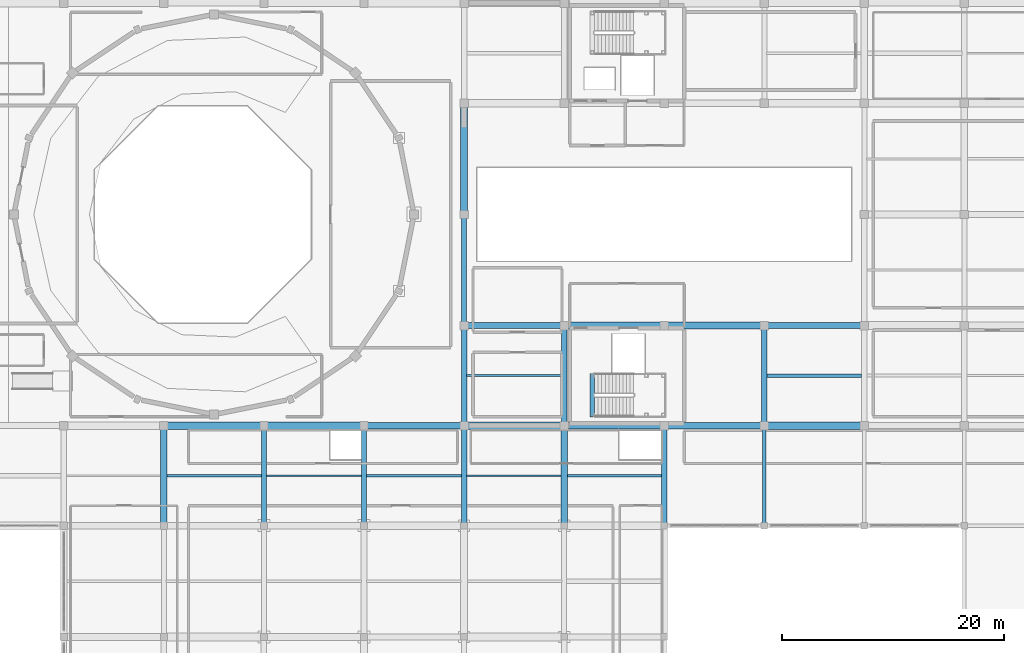
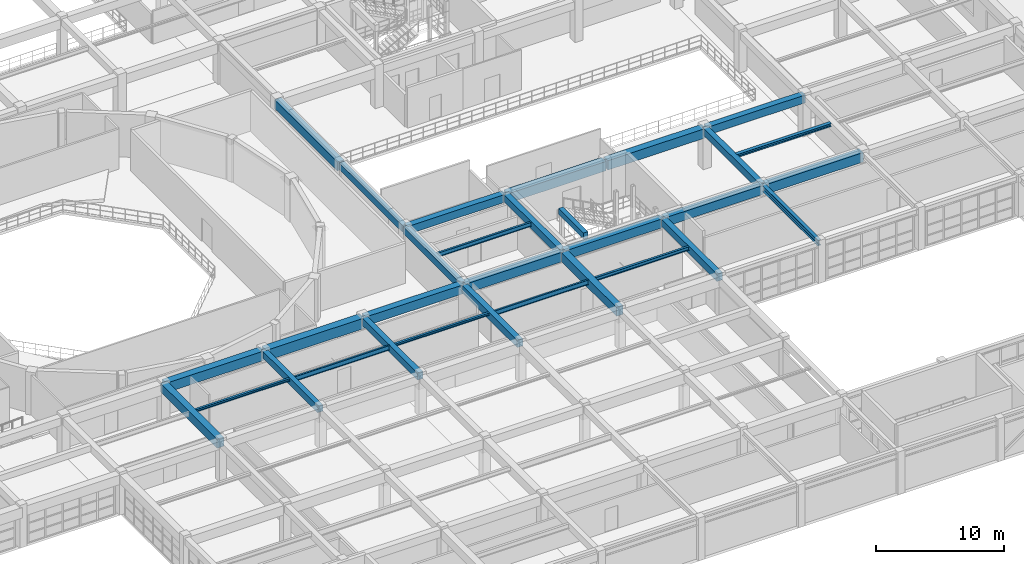
# One storey, part 46 of 130: 31 beams.
"""IFC4 building model written with IfcOpenShell, lengths in metres."""

from ifc_helpers import new_model, si_unit, direction, frame, origin, origin_2d, place, context, subcontext, project, spatial, rectangle, i_section, extrude, material, material_profile, profile_set, type_object, element, save


model = new_model("IFC4")

# Units and contexts
model_context = context("Model", 3, precision=1e-05, world=origin(), true_north=direction((0.0, 1.0)))
body_context = subcontext(model_context, "Body", "Model", "MODEL_VIEW")
ifc_project = project(units=[si_unit("LENGTHUNIT", "METRE"), si_unit("AREAUNIT", "SQUARE_METRE"), si_unit("VOLUMEUNIT", "CUBIC_METRE"), si_unit("PLANEANGLEUNIT", "RADIAN"), si_unit("MASSUNIT", "GRAM", prefix="KILO")], contexts=[model_context])

# Site, building, storey
site_placement = place(None, origin())
site = spatial("IfcSite", under=ifc_project, at=site_placement, CompositionType="ELEMENT")
building_placement = place(site_placement, origin())
building = spatial("IfcBuilding", under=site, at=building_placement, Name="Miravela Opera House", CompositionType="ELEMENT")
storey_placement = place(building_placement, frame((0.0, 0.0, 9.52001953125)))
storey = spatial("IfcBuildingStorey", under=building, at=storey_placement, Name="L02", CompositionType="ELEMENT", Elevation=9.52001953125)

# Beams
ifc_material_1 = material(Name="Concrete C35/45", Category="concrete")
ifc_material_profile_1 = material_profile(ifc_material_1, rectangle(XDim=0.39990234375, YDim=0.60009765625, at=origin_2d()), Name="RC-BM-400X600")
ifc_profile_set_1 = profile_set([ifc_material_profile_1])
beam_type_1 = type_object("IfcBeamType", Name="STR-BM-RC400X600", PredefinedType="JOIST", material=ifc_profile_set_1)
beam_1_placement = place(storey_placement, frame((110.5400390625, 37.800048828125, 3.780029296875), z_axis=(0.0, 1.0, 0.0), x_axis=(-1.0, 0.0, 0.0)))
element("IfcBeam", 1, at=beam_1_placement, inside=storey, type_object=beam_type_1, Name="Stair K4 Opening Header Trimmer Beam 03", PredefinedType="JOIST", context=body_context, shape_type="SweptSolid", body=[
    extrude(rectangle(XDim=0.39990234375, YDim=0.60009765625, at=origin_2d()), origin(), (0.0, 0.0, 1.0), 3.8798828125),
])
ifc_material_profile_2 = material_profile(ifc_material_1, rectangle(XDim=0.449951171875, YDim=0.64990234375, at=origin_2d()), Name="RC-BM-450X650")
ifc_profile_set_2 = profile_set([ifc_material_profile_2])
beam_type_2 = type_object("IfcBeamType", Name="STR-BM-RC450X650", PredefinedType="BEAM", material=ifc_profile_set_2)
beam_2_placement = place(storey_placement, frame((81.0, 28.080078125, 3.514892578125), z_axis=(0.0, 1.0, 0.0), x_axis=(-1.0, 0.0, 0.0)))
element("IfcBeam", 2, at=beam_2_placement, inside=storey, type_object=beam_type_2, Name="Floor Girder L02 10/D-E", PredefinedType="BEAM", context=body_context, shape_type="SweptSolid", body=[
    extrude(rectangle(XDim=0.449951171875, YDim=0.64990234375, at=origin_2d()), origin(), (0.0, 0.0, 1.0), 8.83984375),
])
beam_3_placement = place(storey_placement, frame((99.0, 46.080078125, 3.514892578125), z_axis=(0.0, 1.0, 0.0), x_axis=(-1.0, 0.0, 0.0)))
element("IfcBeam", 3, at=beam_3_placement, inside=storey, type_object=beam_type_2, Name="Floor Girder L02 12/F-G", PredefinedType="BEAM", context=body_context, shape_type="SweptSolid", body=[
    extrude(rectangle(XDim=0.449951171875, YDim=0.64990234375, at=origin_2d()), origin(), (0.0, 0.0, 1.0), 9.83984375),
])
ifc_material_profile_3 = material_profile(ifc_material_1, rectangle(XDim=0.47998046875, YDim=0.679931640625, at=origin_2d()), Name="RC-BM-480X680")
ifc_profile_set_3 = profile_set([ifc_material_profile_3])
beam_type_3 = type_object("IfcBeamType", Name="STR-BM-RC480X680", PredefinedType="BEAM", material=ifc_profile_set_3)
for number, where, z_axis, x_axis, name in (
    (4, (90.0, 28.080078125, 3.5), (0.0, 1.0, 0.0), (-1.0, 0.0, 0.0), "Floor Girder L02 11/D-E"),
    (5, (99.0, 37.080078125, 3.5), (0.0, 1.0, 0.0), (-1.0, 0.0, 0.0), "Floor Girder L02 12/E-F"),
    (6, (126.0, 37.080078125, 3.5), (0.0, 1.0, 0.0), (-1.0, 0.0, 0.0), "Floor Girder L02 15/E-F"),
):
    element("IfcBeam", number, at=place(storey_placement, frame(where, z_axis=z_axis, x_axis=x_axis)), inside=storey, type_object=beam_type_3, Name=name, PredefinedType="BEAM", context=body_context, shape_type="SweptSolid", body=[
        extrude(rectangle(XDim=0.47998046875, YDim=0.679931640625, at=origin_2d()), origin(), (0.0, 0.0, 1.0), 8.83984375),
    ])
ifc_material_profile_4 = material_profile(ifc_material_1, rectangle(XDim=0.5, YDim=0.699951171875, at=origin_2d()), Name="RC-BM-500X700")
ifc_profile_set_4 = profile_set([ifc_material_profile_4])
beam_type_4 = type_object("IfcBeamType", Name="STR-BM-RC500X700", PredefinedType="BEAM", material=ifc_profile_set_4)
for number, where, z_axis, x_axis, name in (
    (7, (99.0, 28.080078125, 3.4599609375), (0.0, 1.0, 0.0), (-1.0, 0.0, 0.0), "Floor Girder L02 12/D-E"),
    (8, (108.0, 37.080078125, 3.489990234375), (0.0, 1.0, 0.0), (-1.0, 0.0, 0.0), "Floor Girder L02 13/E-F"),
    (9, (117.0, 28.080078125, 3.4599609375), (0.0, 1.0, 0.0), (-1.0, 0.0, 0.0), "Floor Girder L02 14/D-E"),
):
    element("IfcBeam", number, at=place(storey_placement, frame(where, z_axis=z_axis, x_axis=x_axis)), inside=storey, type_object=beam_type_4, Name=name, PredefinedType="BEAM", context=body_context, shape_type="SweptSolid", body=[
        extrude(rectangle(XDim=0.5, YDim=0.699951171875, at=origin_2d()), origin(), (0.0, 0.0, 1.0), 8.83984375),
    ])
ifc_material_profile_5 = material_profile(ifc_material_1, rectangle(XDim=0.550048828125, YDim=0.75, at=origin_2d()), Name="RC-BM-550X750")
ifc_profile_set_5 = profile_set([ifc_material_profile_5])
beam_type_5 = type_object("IfcBeamType", Name="STR-BM-RC550X750", PredefinedType="BEAM", material=ifc_profile_set_5)
for number, where, z_axis, x_axis, name in (
    (10, (99.080078125, 46.0, 3.465087890625), (1.0, 0.0, 0.0), (0.0, 1.0, 0.0), "Floor Girder L02 12-13/F"),
    (11, (126.080078125, 46.0, 3.465087890625), (1.0, 0.0, 0.0), (0.0, 1.0, 0.0), "Floor Girder L02 15-16/F"),
):
    element("IfcBeam", number, at=place(storey_placement, frame(where, z_axis=z_axis, x_axis=x_axis)), inside=storey, type_object=beam_type_5, Name=name, PredefinedType="BEAM", context=body_context, shape_type="SweptSolid", body=[
        extrude(rectangle(XDim=0.550048828125, YDim=0.75, at=origin_2d()), origin(), (0.0, 0.0, 1.0), 8.83984375),
    ])
ifc_material_2 = material(Name="Concrete C40/50", Category="concrete")
ifc_material_profile_6 = material_profile(ifc_material_2, rectangle(XDim=0.60009765625, YDim=0.85009765625, at=origin_2d()), Name="RC-BM-600X850")
ifc_profile_set_6 = profile_set([ifc_material_profile_6])
beam_type_6 = type_object("IfcBeamType", Name="STR-BM-RC600X850", PredefinedType="BEAM", material=ifc_profile_set_6)
for number, where, z_axis, x_axis, name in (
    (12, (90.080078125, 37.0, 3.4150390625), (1.0, 0.0, 0.0), (0.0, 1.0, 0.0), "Floor Girder L02 11-12/E"),
    (13, (108.080078125, 37.0, 3.4150390625), (1.0, 0.0, 0.0), (0.0, 1.0, 0.0), "Floor Girder L02 13-14/E"),
    (14, (117.080078125, 37.0, 3.4150390625), (1.0, 0.0, 0.0), (0.0, 1.0, 0.0), "Floor Girder L02 14-15/E"),
    (15, (72.0, 28.080078125, 3.4150390625), (0.0, 1.0, 0.0), (-1.0, 0.0, 0.0), "Floor Girder L02 9/D-E"),
):
    element("IfcBeam", number, at=place(storey_placement, frame(where, z_axis=z_axis, x_axis=x_axis)), inside=storey, type_object=beam_type_6, Name=name, PredefinedType="BEAM", context=body_context, shape_type="SweptSolid", body=[
        extrude(rectangle(XDim=0.60009765625, YDim=0.85009765625, at=origin_2d()), origin(), (0.0, 0.0, 1.0), 8.83984375),
    ])
beam_4_placement = place(storey_placement, frame((99.0, 56.080078125, 3.4150390625), z_axis=(0.0, 1.0, 0.0), x_axis=(-1.0, 0.0, 0.0)))
element("IfcBeam", 16, at=beam_4_placement, inside=storey, type_object=beam_type_6, Name="Floor Girder L02 12/G-H", PredefinedType="BEAM", context=body_context, shape_type="SweptSolid", body=[
    extrude(rectangle(XDim=0.60009765625, YDim=0.85009765625, at=origin_2d()), origin(), (0.0, 0.0, 1.0), 9.83984375),
])
beam_5_placement = place(storey_placement, frame((108.0, 28.080078125, 3.385009765625), z_axis=(0.0, 1.0, 0.0), x_axis=(-1.0, 0.0, 0.0)))
element("IfcBeam", 17, at=beam_5_placement, inside=storey, type_object=beam_type_6, Name="Floor Girder L02 13/D-E", PredefinedType="BEAM", context=body_context, shape_type="SweptSolid", body=[
    extrude(rectangle(XDim=0.60009765625, YDim=0.85009765625, at=origin_2d()), origin(), (0.0, 0.0, 1.0), 8.83984375),
])
ifc_material_profile_7 = material_profile(ifc_material_2, rectangle(XDim=0.64990234375, YDim=0.89990234375, at=origin_2d()), Name="RC-BM-650X900")
ifc_profile_set_7 = profile_set([ifc_material_profile_7])
beam_type_7 = type_object("IfcBeamType", Name="STR-BM-RC650X900", PredefinedType="BEAM", material=ifc_profile_set_7)
for number, where, z_axis, x_axis, name in (
    (18, (72.080078125, 37.0, 3.389892578125), (1.0, 0.0, 0.0), (0.0, 1.0, 0.0), "Floor Girder L02 9-10/E"),
    (19, (99.080078125, 37.0, 3.389892578125), (1.0, 0.0, 0.0), (0.0, 1.0, 0.0), "Floor Girder L02 12-13/E"),
    (20, (108.080078125, 46.0, 3.389892578125), (1.0, 0.0, 0.0), (0.0, 1.0, 0.0), "Floor Girder L02 13-14/F"),
    (21, (117.080078125, 46.0, 3.389892578125), (1.0, 0.0, 0.0), (0.0, 1.0, 0.0), "Floor Girder L02 14-15/F"),
    (22, (126.080078125, 37.0, 3.389892578125), (1.0, 0.0, 0.0), (0.0, 1.0, 0.0), "Floor Girder L02 15-16/E"),
):
    element("IfcBeam", number, at=place(storey_placement, frame(where, z_axis=z_axis, x_axis=x_axis)), inside=storey, type_object=beam_type_7, Name=name, PredefinedType="BEAM", context=body_context, shape_type="SweptSolid", body=[
        extrude(rectangle(XDim=0.64990234375, YDim=0.89990234375, at=origin_2d()), origin(), (0.0, 0.0, 1.0), 8.83984375),
    ])
ifc_material_profile_8 = material_profile(ifc_material_2, rectangle(XDim=0.699951171875, YDim=1.0, at=origin_2d()), Name="RC-BM-700X1000")
ifc_profile_set_8 = profile_set([ifc_material_profile_8])
beam_type_8 = type_object("IfcBeamType", Name="STR-BM-RC700X1000", PredefinedType="BEAM", material=ifc_profile_set_8)
beam_6_placement = place(storey_placement, frame((81.080078125, 37.0, 3.340087890625), z_axis=(1.0, 0.0, 0.0), x_axis=(0.0, 1.0, 0.0)))
element("IfcBeam", 23, at=beam_6_placement, inside=storey, type_object=beam_type_8, Name="Floor Girder L02 10-11/E", PredefinedType="BEAM", context=body_context, shape_type="SweptSolid", body=[
    extrude(rectangle(XDim=0.699951171875, YDim=1.0, at=origin_2d()), origin(), (0.0, 0.0, 1.0), 8.83984375),
])
ifc_material_3 = material(Name="Structural steel ASTM A992 Gr. 50", Category="steel")
ifc_material_profile_9 = material_profile(ifc_material_3, i_section(OverallWidth=0.201904296875, OverallDepth=0.2470703125, WebThickness=0.00732421875, FlangeThickness=0.010986328125, FilletRadius=0.011962890625, at=origin_2d()), Name="W250X49")
ifc_profile_set_9 = profile_set([ifc_material_profile_9])
beam_type_9 = type_object("IfcBeamType", Name="STR-BM-W250X49", PredefinedType="LINTEL", material=ifc_profile_set_9)
beam_7_placement = place(storey_placement, frame((72.284912109375, 32.5, 3.716552734375), z_axis=(1.0, 0.0, 0.0), x_axis=(0.0, 1.0, 0.0)))
element("IfcBeam", 24, at=beam_7_placement, inside=storey, type_object=beam_type_9, Name="Secondary Floor Joist L02 9-10/D-E", PredefinedType="LINTEL", context=body_context, shape_type="SweptSolid", body=[
    extrude(i_section(OverallWidth=0.201904296875, OverallDepth=0.2470703125, WebThickness=0.00732421875, FlangeThickness=0.010986328125, FilletRadius=0.011962890625, at=origin_2d()), origin(), (0.0, 0.0, 1.0), 8.505126953125),
])
beam_8_placement = place(storey_placement, frame((90.22509765625, 32.5, 3.6865234375), z_axis=(1.0, 0.0, 0.0), x_axis=(0.0, 1.0, 0.0)))
element("IfcBeam", 25, at=beam_8_placement, inside=storey, type_object=beam_type_9, Name="Secondary Floor Joist L02 11-12/D-E", PredefinedType="LINTEL", context=body_context, shape_type="SweptSolid", body=[
    extrude(i_section(OverallWidth=0.201904296875, OverallDepth=0.2470703125, WebThickness=0.00732421875, FlangeThickness=0.010986328125, FilletRadius=0.011962890625, at=origin_2d()), origin(), (0.0, 0.0, 1.0), 8.539794921875),
])
ifc_material_profile_10 = material_profile(ifc_material_3, i_section(OverallWidth=0.304931640625, OverallDepth=0.30810546875, WebThickness=0.010009765625, FlangeThickness=0.015380859375, FilletRadius=0.013916015625, at=origin_2d()), Name="W310X97")
ifc_profile_set_10 = profile_set([ifc_material_profile_10])
beam_type_10 = type_object("IfcBeamType", Name="STR-BM-W310X97", PredefinedType="JOIST", material=ifc_profile_set_10)
beam_9_placement = place(storey_placement, frame((126.22509765625, 41.5, 3.68603515625), z_axis=(1.0, 0.0, 0.0), x_axis=(0.0, 1.0, 0.0)))
element("IfcBeam", 26, at=beam_9_placement, inside=storey, type_object=beam_type_10, Name="Secondary Floor Joist L02 15-16/E-F", PredefinedType="JOIST", context=body_context, shape_type="SweptSolid", body=[
    extrude(i_section(OverallWidth=0.304931640625, OverallDepth=0.30810546875, WebThickness=0.010009765625, FlangeThickness=0.015380859375, FilletRadius=0.013916015625, at=origin_2d()), origin(), (0.0, 0.0, 1.0), 8.539794921875),
])
ifc_material_profile_11 = material_profile(ifc_material_3, i_section(OverallWidth=0.2041015625, OverallDepth=0.35009765625, WebThickness=0.008544921875, FlangeThickness=0.01513671875, FilletRadius=0.013916015625, at=origin_2d()), Name="W360X72")
ifc_profile_set_11 = profile_set([ifc_material_profile_11])
beam_type_11 = type_object("IfcBeamType", Name="STR-BM-W360X72", PredefinedType="JOIST", material=ifc_profile_set_11)
beam_10_placement = place(storey_placement, frame((108.284912109375, 32.5, 3.635009765625), z_axis=(1.0, 0.0, 0.0), x_axis=(0.0, 1.0, 0.0)))
element("IfcBeam", 27, at=beam_10_placement, inside=storey, type_object=beam_type_11, Name="Secondary Floor Joist L02 13-14/D-E", PredefinedType="JOIST", context=body_context, shape_type="SweptSolid", body=[
    extrude(i_section(OverallWidth=0.2041015625, OverallDepth=0.35009765625, WebThickness=0.008544921875, FlangeThickness=0.01513671875, FilletRadius=0.013916015625, at=origin_2d()), origin(), (0.0, 0.0, 1.0), 8.47998046875),
])
ifc_material_profile_12 = material_profile(ifc_material_3, i_section(OverallWidth=0.177978515625, OverallDepth=0.406982421875, WebThickness=0.0078125, FlangeThickness=0.0126953125, FilletRadius=0.012939453125, at=origin_2d()), Name="W410X60")
ifc_profile_set_12 = profile_set([ifc_material_profile_12])
beam_type_12 = type_object("IfcBeamType", Name="STR-BM-W410X60", PredefinedType="JOIST", material=ifc_profile_set_12)
beam_11_placement = place(storey_placement, frame((99.22509765625, 41.5, 3.636474609375), z_axis=(1.0, 0.0, 0.0), x_axis=(0.0, 1.0, 0.0)))
element("IfcBeam", 28, at=beam_11_placement, inside=storey, type_object=beam_type_12, Name="Secondary Floor Joist L02 12-13/E-F", PredefinedType="JOIST", context=body_context, shape_type="SweptSolid", body=[
    extrude(i_section(OverallWidth=0.177978515625, OverallDepth=0.406982421875, WebThickness=0.0078125, FlangeThickness=0.0126953125, FilletRadius=0.012939453125, at=origin_2d()), origin(), (0.0, 0.0, 1.0), 8.539794921875),
])
ifc_material_profile_13 = material_profile(ifc_material_3, i_section(OverallWidth=0.154052734375, OverallDepth=0.458984375, WebThickness=0.009033203125, FlangeThickness=0.015380859375, FilletRadius=0.013916015625, at=origin_2d()), Name="W460X68")
ifc_profile_set_13 = profile_set([ifc_material_profile_13])
beam_type_13 = type_object("IfcBeamType", Name="STR-BM-W460X68", PredefinedType="JOIST", material=ifc_profile_set_13)
beam_12_placement = place(storey_placement, frame((81.2099609375, 32.5, 3.610595703125), z_axis=(1.0, 0.0, 0.0), x_axis=(0.0, 1.0, 0.0)))
element("IfcBeam", 29, at=beam_12_placement, inside=storey, type_object=beam_type_13, Name="Secondary Floor Joist L02 10-11/D-E", PredefinedType="JOIST", context=body_context, shape_type="SweptSolid", body=[
    extrude(i_section(OverallWidth=0.154052734375, OverallDepth=0.458984375, WebThickness=0.009033203125, FlangeThickness=0.015380859375, FilletRadius=0.013916015625, at=origin_2d()), origin(), (0.0, 0.0, 1.0), 8.56494140625),
])
beam_13_placement = place(storey_placement, frame((99.235107421875, 32.5, 3.58056640625), z_axis=(1.0, 0.0, 0.0), x_axis=(0.0, 1.0, 0.0)))
element("IfcBeam", 30, at=beam_13_placement, inside=storey, type_object=beam_type_13, Name="Secondary Floor Joist L02 12-13/D-E", PredefinedType="JOIST", context=body_context, shape_type="SweptSolid", body=[
    extrude(i_section(OverallWidth=0.154052734375, OverallDepth=0.458984375, WebThickness=0.009033203125, FlangeThickness=0.015380859375, FilletRadius=0.013916015625, at=origin_2d()), origin(), (0.0, 0.0, 1.0), 8.47998046875),
])
ifc_material_profile_14 = material_profile(ifc_material_3, i_section(OverallWidth=0.31201171875, OverallDepth=0.54296875, WebThickness=0.0126953125, FlangeThickness=0.020263671875, FilletRadius=0.01611328125, at=origin_2d()), Name="W530X150")
ifc_profile_set_14 = profile_set([ifc_material_profile_14])
beam_type_14 = type_object("IfcBeamType", Name="STR-BM-W530X150", PredefinedType="BEAM", material=ifc_profile_set_14)
beam_14_placement = place(storey_placement, frame((126.0, 28.080078125, 3.568359375), z_axis=(0.0, 1.0, 0.0), x_axis=(-1.0, 0.0, 0.0)))
element("IfcBeam", 31, at=beam_14_placement, inside=storey, type_object=beam_type_14, Name="Roof King-Post Transverse Tie Girder ROOF-V4-NE T1.1", PredefinedType="BEAM", context=body_context, shape_type="SweptSolid", body=[
    extrude(i_section(OverallWidth=0.31201171875, OverallDepth=0.54296875, WebThickness=0.0126953125, FlangeThickness=0.020263671875, FilletRadius=0.01611328125, at=origin_2d()), origin(), (0.0, 0.0, 1.0), 8.83984375),
])

save(model, "model.ifc")
